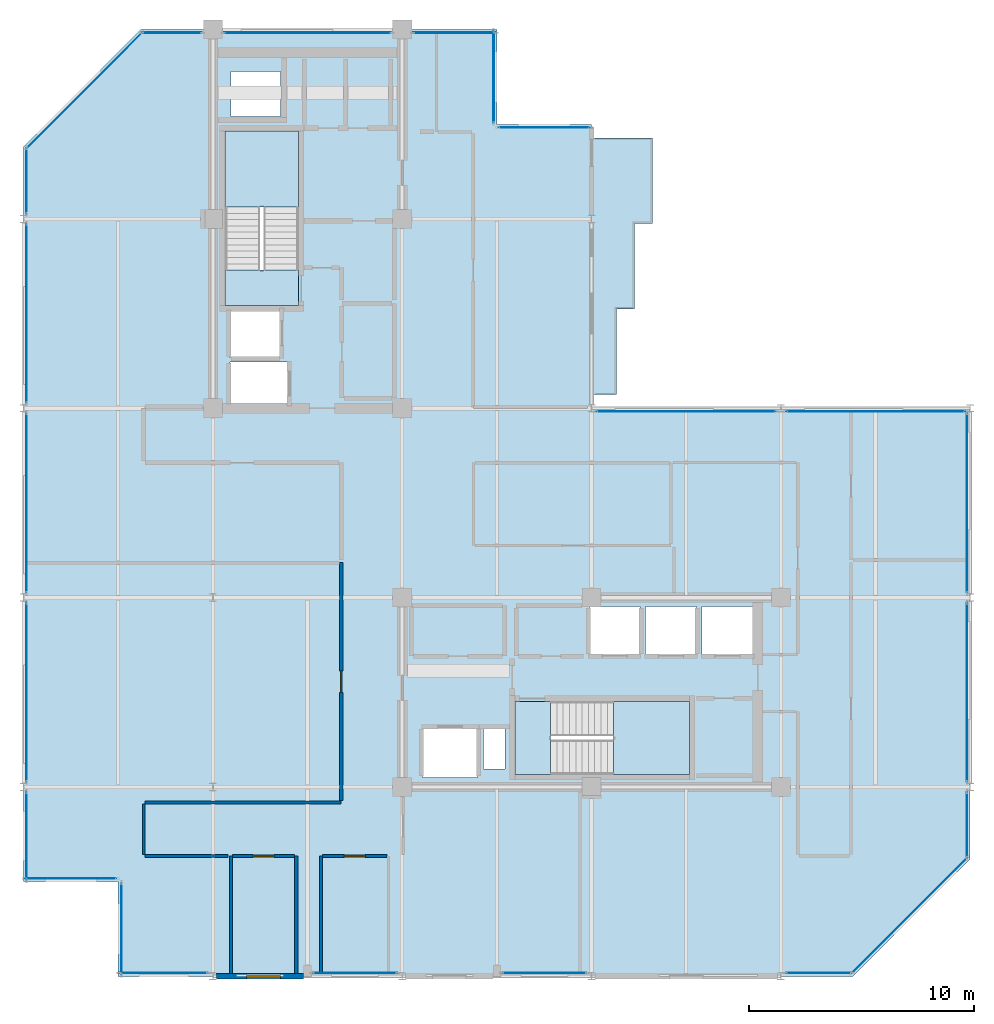
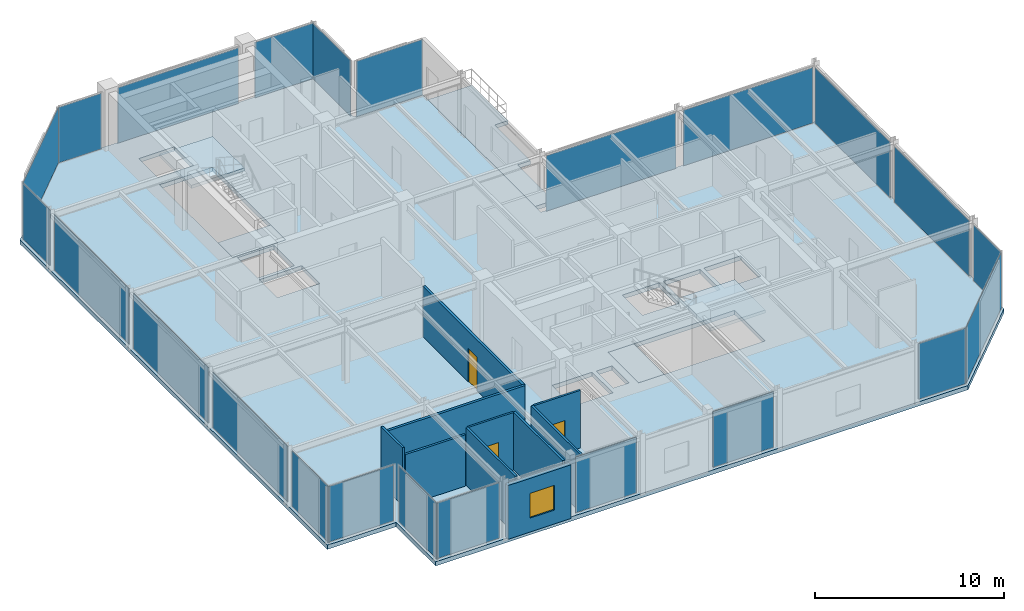
# One storey, part 20 of 26: 23 plates, 10 walls, 6 slabs, 3 doors, 1 window, 4 openings, 25 elements without a shape of their own.
"""IFC4 building model written with IfcOpenShell, lengths in metres."""

from ifc_helpers import new_model, si_unit, direction, frame, frame_2d, origin, origin_2d, place, context, subcontext, project, spatial, polyline, rectangle, outline, extrude, material, layer, layer_set, type_object, element, fill, aggregate, save


model = new_model("IFC4")

# Units and contexts
model_context = context("Model", 3, precision=1e-05, world=origin(), true_north=direction((0.0, 1.0)))
body_context = subcontext(model_context, "Body", "Model", "MODEL_VIEW")
ifc_project = project(units=[si_unit("LENGTHUNIT", "METRE"), si_unit("AREAUNIT", "SQUARE_METRE"), si_unit("VOLUMEUNIT", "CUBIC_METRE"), si_unit("PLANEANGLEUNIT", "RADIAN"), si_unit("MASSUNIT", "GRAM", prefix="KILO")], contexts=[model_context])

# Site, building, storey
site_placement = place(None, origin())
site = spatial("IfcSite", under=ifc_project, at=site_placement, CompositionType="ELEMENT")
building_placement = place(site_placement, origin())
building = spatial("IfcBuilding", under=site, at=building_placement, Name="Nerrivon Quay Data Exchange", CompositionType="ELEMENT")
storey_placement = place(building_placement, frame((0.0, 0.0, 258.199951171875)))
storey = spatial("IfcBuildingStorey", under=building, at=storey_placement, Name="L61", CompositionType="ELEMENT", Elevation=258.199951171875)

# Curtain wall, plate
ifc_material_1 = material(Name="Anodised aluminium 6063-T6", Category="aluminium")
ifc_layer_1 = layer(ifc_material_1, 0.195068359375)
ifc_layer_set_1 = layer_set([ifc_layer_1], Name="Anodised aluminium 6063-T6")
curtain_wall_type = type_object("IfcCurtainWallType", Name="CW-SYS-06", PredefinedType="NOTDEFINED", material=ifc_layer_set_1)
curtain_wall_1_placement = place(storey_placement, origin())
curtain_wall_1 = element("IfcCurtainWall", 1, at=curtain_wall_1_placement, inside=storey, type_object=curtain_wall_type, Name="L61 Unitised Curtain Wall 1", PredefinedType="NOTDEFINED")
ifc_material_2 = material(Name="Double-glazed low-E solar control glass", Category="glass")
ifc_layer_2 = layer(ifc_material_2, 0.028076171875)
ifc_layer_set_2 = layer_set([ifc_layer_2], Name="Double-glazed low-E solar control glass")
plate_type = type_object("IfcPlateType", Name="CWP-GLZ-28", PredefinedType="CURTAIN_PANEL", material=ifc_layer_set_2)
plate_1_placement = place(storey_placement, frame((39.301025390625, 2.698974609375, 0.06494140625), z_axis=(0.0, 0.0, 1.0), x_axis=(-0.707106781187, -0.707106781187, 0.0)))
plate_1 = element("IfcPlate", 2, at=plate_1_placement, type_object=plate_type, Name="CW06 panel 1.1", PredefinedType="CURTAIN_PANEL", context=body_context, shape_type="SweptSolid", body=[
    extrude(rectangle(XDim=7.203857421875, YDim=0.028076171875, at=origin_2d()), origin(), (0.0, 0.0, 1.0), 3.594970703125),
])
aggregate(curtain_wall_1, [plate_1])

curtain_wall_2_placement = place(storey_placement, origin())
curtain_wall_2 = element("IfcCurtainWall", 3, at=curtain_wall_2_placement, inside=storey, type_object=curtain_wall_type, Name="L61 Unitised Curtain Wall 2", PredefinedType="NOTDEFINED")
plate_2_placement = place(storey_placement, frame((35.27783203125, 0.139892578125, 0.06494140625), z_axis=(0.0, 0.0, 1.0), x_axis=(-1.0, 0.0, 0.0)))
plate_2 = element("IfcPlate", 4, at=plate_2_placement, type_object=plate_type, Name="CW06 panel 1.1", PredefinedType="CURTAIN_PANEL", context=body_context, shape_type="SweptSolid", body=[
    extrude(rectangle(XDim=2.89453125, YDim=0.028076171875, at=origin_2d()), origin(), (0.0, 0.0, 1.0), 3.594970703125),
])
aggregate(curtain_wall_2, [plate_2])

curtain_wall_3_placement = place(storey_placement, origin())
curtain_wall_3 = element("IfcCurtainWall", 5, at=curtain_wall_3_placement, inside=storey, type_object=curtain_wall_type, Name="L61 Unitised Curtain Wall 4", PredefinedType="NOTDEFINED")
plate_3_placement = place(storey_placement, frame((23.10986328125, 0.139892578125, 0.06494140625), z_axis=(0.0, 0.0, 1.0), x_axis=(-1.0, 0.0, 0.0)))
plate_3 = element("IfcPlate", 6, at=plate_3_placement, type_object=plate_type, Name="CW06 panel 1.1", PredefinedType="CURTAIN_PANEL", context=body_context, shape_type="SweptSolid", body=[
    extrude(rectangle(XDim=3.719482421875, YDim=0.028076171875, at=origin_2d()), origin(), (0.0, 0.0, 1.0), 3.594970703125),
])
aggregate(curtain_wall_3, [plate_3])

curtain_wall_4_placement = place(storey_placement, origin())
curtain_wall_4 = element("IfcCurtainWall", 7, at=curtain_wall_4_placement, inside=storey, type_object=curtain_wall_type, Name="L61 Unitised Curtain Wall 6", PredefinedType="NOTDEFINED")
plate_4_placement = place(storey_placement, frame((14.709716796875, 0.139892578125, 0.06494140625), z_axis=(0.0, 0.0, 1.0), x_axis=(-1.0, 0.0, 0.0)))
plate_4 = element("IfcPlate", 8, at=plate_4_placement, type_object=plate_type, Name="CW06 panel 1.1", PredefinedType="CURTAIN_PANEL", context=body_context, shape_type="SweptSolid", body=[
    extrude(rectangle(XDim=3.719482421875, YDim=0.028076171875, at=origin_2d()), origin(), (0.0, 0.0, 1.0), 3.594970703125),
])
aggregate(curtain_wall_4, [plate_4])

curtain_wall_5_placement = place(storey_placement, origin())
curtain_wall_5 = element("IfcCurtainWall", 9, at=curtain_wall_5_placement, inside=storey, type_object=curtain_wall_type, Name="L61 Unitised Curtain Wall 8", PredefinedType="NOTDEFINED")
plate_5_placement = place(storey_placement, frame((6.22216796875, 0.139892578125, 0.06494140625), z_axis=(0.0, 0.0, 1.0), x_axis=(-1.0, 0.0, 0.0)))
plate_5 = element("IfcPlate", 10, at=plate_5_placement, type_object=plate_type, Name="CW06 panel 1.1", PredefinedType="CURTAIN_PANEL", context=body_context, shape_type="SweptSolid", body=[
    extrude(rectangle(XDim=3.89453125, YDim=0.028076171875, at=origin_2d()), origin(), (0.0, 0.0, 1.0), 3.594970703125),
])
aggregate(curtain_wall_5, [plate_5])

curtain_wall_6_placement = place(storey_placement, origin())
curtain_wall_6 = element("IfcCurtainWall", 11, at=curtain_wall_6_placement, inside=storey, type_object=curtain_wall_type, Name="L61 Unitised Curtain Wall 9", PredefinedType="NOTDEFINED")
plate_6_placement = place(storey_placement, frame((4.340087890625, 2.10009765625, 0.06494140625), z_axis=(0.0, 0.0, 1.0), x_axis=(0.0, 1.0, 0.0)))
plate_6 = element("IfcPlate", 12, at=plate_6_placement, type_object=plate_type, Name="CW06 panel 1.1", PredefinedType="CURTAIN_PANEL", context=body_context, shape_type="SweptSolid", body=[
    extrude(rectangle(XDim=4.050048828125, YDim=0.028076171875, at=origin_2d()), origin(), (0.0, 0.0, 1.0), 3.594970703125),
])
aggregate(curtain_wall_6, [plate_6])

curtain_wall_7_placement = place(storey_placement, origin())
curtain_wall_7 = element("IfcCurtainWall", 13, at=curtain_wall_7_placement, inside=storey, type_object=curtain_wall_type, Name="L61 Unitised Curtain Wall 10", PredefinedType="NOTDEFINED")
plate_7_placement = place(storey_placement, frame((2.10009765625, 4.340087890625, 0.06494140625), z_axis=(0.0, 0.0, 1.0), x_axis=(-1.0, 0.0, 0.0)))
plate_7 = element("IfcPlate", 14, at=plate_7_placement, type_object=plate_type, Name="CW06 panel 1.1", PredefinedType="CURTAIN_PANEL", context=body_context, shape_type="SweptSolid", body=[
    extrude(rectangle(XDim=4.050048828125, YDim=0.028076171875, at=origin_2d()), origin(), (0.0, 0.0, 1.0), 3.594970703125),
])
aggregate(curtain_wall_7, [plate_7])

curtain_wall_8_placement = place(storey_placement, origin())
curtain_wall_8 = element("IfcCurtainWall", 15, at=curtain_wall_8_placement, inside=storey, type_object=curtain_wall_type, Name="L61 Unitised Curtain Wall 11", PredefinedType="NOTDEFINED")
plate_8_placement = place(storey_placement, frame((0.139892578125, 6.21826171875, 0.06494140625), z_axis=(0.0, 0.0, 1.0), x_axis=(0.0, 1.0, 0.0)))
plate_8 = element("IfcPlate", 16, at=plate_8_placement, type_object=plate_type, Name="CW06 panel 1.1", PredefinedType="CURTAIN_PANEL", context=body_context, shape_type="SweptSolid", body=[
    extrude(rectangle(XDim=3.886474609375, YDim=0.028076171875, at=origin_2d()), origin(), (0.0, 0.0, 1.0), 3.594970703125),
])
aggregate(curtain_wall_8, [plate_8])

curtain_wall_9_placement = place(storey_placement, origin())
curtain_wall_9 = element("IfcCurtainWall", 17, at=curtain_wall_9_placement, inside=storey, type_object=curtain_wall_type, Name="L61 Unitised Curtain Wall 12", PredefinedType="NOTDEFINED")
plate_9_placement = place(storey_placement, frame((0.139892578125, 12.60009765625, 0.06494140625), z_axis=(0.0, 0.0, 1.0), x_axis=(0.0, 1.0, 0.0)))
plate_9 = element("IfcPlate", 18, at=plate_9_placement, type_object=plate_type, Name="CW06 panel 1.1", PredefinedType="CURTAIN_PANEL", context=body_context, shape_type="SweptSolid", body=[
    extrude(rectangle(XDim=7.923095703125, YDim=0.028076171875, at=origin_2d()), origin(), (0.0, 0.0, 1.0), 3.594970703125),
])
aggregate(curtain_wall_9, [plate_9])

curtain_wall_10_placement = place(storey_placement, origin())
curtain_wall_10 = element("IfcCurtainWall", 19, at=curtain_wall_10_placement, inside=storey, type_object=curtain_wall_type, Name="L61 Unitised Curtain Wall 13", PredefinedType="NOTDEFINED")
plate_10_placement = place(storey_placement, frame((0.139892578125, 21.0, 0.06494140625), z_axis=(0.0, 0.0, 1.0), x_axis=(0.0, 1.0, 0.0)))
plate_10 = element("IfcPlate", 20, at=plate_10_placement, type_object=plate_type, Name="CW06 panel 1.1", PredefinedType="CURTAIN_PANEL", context=body_context, shape_type="SweptSolid", body=[
    extrude(rectangle(XDim=7.923095703125, YDim=0.028076171875, at=origin_2d()), origin(), (0.0, 0.0, 1.0), 3.594970703125),
])
aggregate(curtain_wall_10, [plate_10])

curtain_wall_11_placement = place(storey_placement, origin())
curtain_wall_11 = element("IfcCurtainWall", 21, at=curtain_wall_11_placement, inside=storey, type_object=curtain_wall_type, Name="L61 Unitised Curtain Wall 14", PredefinedType="NOTDEFINED")
plate_11_placement = place(storey_placement, frame((0.139892578125, 29.39990234375, 0.06494140625), z_axis=(0.0, 0.0, 1.0), x_axis=(0.0, 1.0, 0.0)))
plate_11 = element("IfcPlate", 22, at=plate_11_placement, type_object=plate_type, Name="CW06 panel 1.1", PredefinedType="CURTAIN_PANEL", context=body_context, shape_type="SweptSolid", body=[
    extrude(rectangle(XDim=7.923095703125, YDim=0.028076171875, at=origin_2d()), origin(), (0.0, 0.0, 1.0), 3.594970703125),
])
aggregate(curtain_wall_11, [plate_11])

curtain_wall_12_placement = place(storey_placement, origin())
curtain_wall_12 = element("IfcCurtainWall", 23, at=curtain_wall_12_placement, inside=storey, type_object=curtain_wall_type, Name="L61 Unitised Curtain Wall 15", PredefinedType="NOTDEFINED")
plate_12_placement = place(storey_placement, frame((0.139892578125, 35.28173828125, 0.06494140625), z_axis=(0.0, 0.0, 1.0), x_axis=(0.0, 1.0, 0.0)))
plate_12 = element("IfcPlate", 24, at=plate_12_placement, type_object=plate_type, Name="CW06 panel 1.1", PredefinedType="CURTAIN_PANEL", context=body_context, shape_type="SweptSolid", body=[
    extrude(rectangle(XDim=2.886474609375, YDim=0.028076171875, at=origin_2d()), origin(), (0.0, 0.0, 1.0), 3.594970703125),
])
aggregate(curtain_wall_12, [plate_12])

curtain_wall_13_placement = place(storey_placement, origin())
curtain_wall_13 = element("IfcCurtainWall", 25, at=curtain_wall_13_placement, inside=storey, type_object=curtain_wall_type, Name="L61 Unitised Curtain Wall 16", PredefinedType="NOTDEFINED")
plate_13_placement = place(storey_placement, frame((2.698974609375, 39.301025390625, 0.06494140625), z_axis=(0.0, 0.0, 1.0), x_axis=(0.707106781187, 0.707106781187, 0.0)))
plate_13 = element("IfcPlate", 26, at=plate_13_placement, type_object=plate_type, Name="CW06 panel 1.1", PredefinedType="CURTAIN_PANEL", context=body_context, shape_type="SweptSolid", body=[
    extrude(rectangle(XDim=7.203857421875, YDim=0.028076171875, at=origin_2d()), origin(), (0.0, 0.0, 1.0), 3.594970703125),
])
aggregate(curtain_wall_13, [plate_13])

curtain_wall_14_placement = place(storey_placement, origin())
curtain_wall_14 = element("IfcCurtainWall", 27, at=curtain_wall_14_placement, inside=storey, type_object=curtain_wall_type, Name="L61 Unitised Curtain Wall 17", PredefinedType="NOTDEFINED")
plate_14_placement = place(storey_placement, frame((6.58740234375, 41.860107421875, 0.06494140625), z_axis=(0.0, 0.0, 1.0), x_axis=(1.0, 0.0, 0.0)))
plate_14 = element("IfcPlate", 28, at=plate_14_placement, type_object=plate_type, Name="CW06 panel 1.1", PredefinedType="CURTAIN_PANEL", context=body_context, shape_type="SweptSolid", body=[
    extrude(rectangle(XDim=2.625, YDim=0.028076171875, at=origin_2d()), origin(), (0.0, 0.0, 1.0), 3.594970703125),
])
aggregate(curtain_wall_14, [plate_14])

curtain_wall_15_placement = place(storey_placement, origin())
curtain_wall_15 = element("IfcCurtainWall", 29, at=curtain_wall_15_placement, inside=storey, type_object=curtain_wall_type, Name="L61 Unitised Curtain Wall 18", PredefinedType="NOTDEFINED")
plate_15_placement = place(storey_placement, frame((12.60009765625, 41.860107421875, 0.06494140625), z_axis=(0.0, 0.0, 1.0), x_axis=(1.0, 0.0, 0.0)))
plate_15 = element("IfcPlate", 30, at=plate_15_placement, type_object=plate_type, Name="CW06 panel 1.1", PredefinedType="CURTAIN_PANEL", context=body_context, shape_type="SweptSolid", body=[
    extrude(rectangle(XDim=7.39990234375, YDim=0.028076171875, at=origin_2d()), origin(), (0.0, 0.0, 1.0), 3.594970703125),
])
aggregate(curtain_wall_15, [plate_15])

curtain_wall_16_placement = place(storey_placement, origin())
curtain_wall_16 = element("IfcCurtainWall", 31, at=curtain_wall_16_placement, inside=storey, type_object=curtain_wall_type, Name="L61 Unitised Curtain Wall 19", PredefinedType="NOTDEFINED")
plate_16_placement = place(storey_placement, frame((19.112548828125, 41.860107421875, 0.06494140625), z_axis=(0.0, 0.0, 1.0), x_axis=(1.0, 0.0, 0.0)))
plate_16 = element("IfcPlate", 32, at=plate_16_placement, type_object=plate_type, Name="CW06 panel 1.1", PredefinedType="CURTAIN_PANEL", context=body_context, shape_type="SweptSolid", body=[
    extrude(rectangle(XDim=3.625, YDim=0.028076171875, at=origin_2d()), origin(), (0.0, 0.0, 1.0), 3.594970703125),
])
aggregate(curtain_wall_16, [plate_16])

curtain_wall_17_placement = place(storey_placement, origin())
curtain_wall_17 = element("IfcCurtainWall", 33, at=curtain_wall_17_placement, inside=storey, type_object=curtain_wall_type, Name="L61 Unitised Curtain Wall 20", PredefinedType="NOTDEFINED")
plate_17_placement = place(storey_placement, frame((20.860107421875, 39.89990234375, 0.06494140625), z_axis=(0.0, 0.0, 1.0), x_axis=(0.0, -1.0, 0.0)))
plate_17 = element("IfcPlate", 34, at=plate_17_placement, type_object=plate_type, Name="CW06 panel 1.1", PredefinedType="CURTAIN_PANEL", context=body_context, shape_type="SweptSolid", body=[
    extrude(rectangle(XDim=4.050048828125, YDim=0.028076171875, at=origin_2d()), origin(), (0.0, 0.0, 1.0), 3.594970703125),
])
aggregate(curtain_wall_17, [plate_17])

curtain_wall_18_placement = place(storey_placement, origin())
curtain_wall_18 = element("IfcCurtainWall", 35, at=curtain_wall_18_placement, inside=storey, type_object=curtain_wall_type, Name="L61 Unitised Curtain Wall 21", PredefinedType="NOTDEFINED")
plate_18_placement = place(storey_placement, frame((23.10009765625, 37.659912109375, 0.06494140625), z_axis=(0.0, 0.0, 1.0), x_axis=(1.0, 0.0, 0.0)))
plate_18 = element("IfcPlate", 36, at=plate_18_placement, type_object=plate_type, Name="CW06 panel 1.1", PredefinedType="CURTAIN_PANEL", context=body_context, shape_type="SweptSolid", body=[
    extrude(rectangle(XDim=4.050048828125, YDim=0.028076171875, at=origin_2d()), origin(), (0.0, 0.0, 1.0), 3.594970703125),
])
aggregate(curtain_wall_18, [plate_18])

curtain_wall_19_placement = place(storey_placement, origin())
curtain_wall_19 = element("IfcCurtainWall", 37, at=curtain_wall_19_placement, inside=storey, type_object=curtain_wall_type, Name="L61 Unitised Curtain Wall 24", PredefinedType="NOTDEFINED")
plate_19_placement = place(storey_placement, frame((29.39990234375, 25.06005859375, 0.06494140625), z_axis=(0.0, 0.0, 1.0), x_axis=(1.0, 0.0, 0.0)))
plate_19 = element("IfcPlate", 38, at=plate_19_placement, type_object=plate_type, Name="CW06 panel 1.1", PredefinedType="CURTAIN_PANEL", context=body_context, shape_type="SweptSolid", body=[
    extrude(rectangle(XDim=7.93896484375, YDim=0.028076171875, at=origin_2d()), origin(), (0.0, 0.0, 1.0), 3.594970703125),
])
aggregate(curtain_wall_19, [plate_19])

curtain_wall_20_placement = place(storey_placement, origin())
curtain_wall_20 = element("IfcCurtainWall", 39, at=curtain_wall_20_placement, inside=storey, type_object=curtain_wall_type, Name="L61 Unitised Curtain Wall 25", PredefinedType="NOTDEFINED")
plate_20_placement = place(storey_placement, frame((37.800048828125, 25.06005859375, 0.06494140625), z_axis=(0.0, 0.0, 1.0), x_axis=(1.0, 0.0, 0.0)))
plate_20 = element("IfcPlate", 40, at=plate_20_placement, type_object=plate_type, Name="CW06 panel 1.1", PredefinedType="CURTAIN_PANEL", context=body_context, shape_type="SweptSolid", body=[
    extrude(rectangle(XDim=7.93896484375, YDim=0.028076171875, at=origin_2d()), origin(), (0.0, 0.0, 1.0), 3.594970703125),
])
aggregate(curtain_wall_20, [plate_20])

curtain_wall_21_placement = place(storey_placement, origin())
curtain_wall_21 = element("IfcCurtainWall", 41, at=curtain_wall_21_placement, inside=storey, type_object=curtain_wall_type, Name="L61 Unitised Curtain Wall 26", PredefinedType="NOTDEFINED")
plate_21_placement = place(storey_placement, frame((41.860107421875, 21.0, 0.06494140625), z_axis=(0.0, 0.0, 1.0), x_axis=(0.0, -1.0, 0.0)))
plate_21 = element("IfcPlate", 42, at=plate_21_placement, type_object=plate_type, Name="CW06 panel 1.1", PredefinedType="CURTAIN_PANEL", context=body_context, shape_type="SweptSolid", body=[
    extrude(rectangle(XDim=7.923095703125, YDim=0.028076171875, at=origin_2d()), origin(), (0.0, 0.0, 1.0), 3.594970703125),
])
aggregate(curtain_wall_21, [plate_21])

curtain_wall_22_placement = place(storey_placement, origin())
curtain_wall_22 = element("IfcCurtainWall", 43, at=curtain_wall_22_placement, inside=storey, type_object=curtain_wall_type, Name="L61 Unitised Curtain Wall 27", PredefinedType="NOTDEFINED")
plate_22_placement = place(storey_placement, frame((41.860107421875, 12.60009765625, 0.06494140625), z_axis=(0.0, 0.0, 1.0), x_axis=(0.0, -1.0, 0.0)))
plate_22 = element("IfcPlate", 44, at=plate_22_placement, type_object=plate_type, Name="CW06 panel 1.1", PredefinedType="CURTAIN_PANEL", context=body_context, shape_type="SweptSolid", body=[
    extrude(rectangle(XDim=7.923095703125, YDim=0.028076171875, at=origin_2d()), origin(), (0.0, 0.0, 1.0), 3.594970703125),
])
aggregate(curtain_wall_22, [plate_22])

curtain_wall_23_placement = place(storey_placement, origin())
curtain_wall_23 = element("IfcCurtainWall", 45, at=curtain_wall_23_placement, inside=storey, type_object=curtain_wall_type, Name="L61 Unitised Curtain Wall 28", PredefinedType="NOTDEFINED")
plate_23_placement = place(storey_placement, frame((41.860107421875, 6.71826171875, 0.06494140625), z_axis=(0.0, 0.0, 1.0), x_axis=(0.0, -1.0, 0.0)))
plate_23 = element("IfcPlate", 46, at=plate_23_placement, type_object=plate_type, Name="CW06 panel 1.1", PredefinedType="CURTAIN_PANEL", context=body_context, shape_type="SweptSolid", body=[
    extrude(rectangle(XDim=2.886474609375, YDim=0.028076171875, at=origin_2d()), origin(), (0.0, 0.0, 1.0), 3.594970703125),
])
aggregate(curtain_wall_23, [plate_23])

# Slab
ifc_material_3 = material(Name="Precast white architectural concrete N50 (50 MPa)", Category="concrete")
ifc_layer_3 = layer(ifc_material_3, 0.25)
ifc_layer_set_3 = layer_set([ifc_layer_3], Name="Precast white architectural concrete N50 (50 MPa)")
slab_type_1 = type_object("IfcSlabType", Name="SLB-BAL-250", PredefinedType="FLOOR", material=ifc_layer_set_3)
slab_1_placement = place(storey_placement, frame((0.0, 0.0, -0.25)))
element("IfcSlab", 47, at=slab_1_placement, inside=storey, type_object=slab_type_1, Name="L61 Waterfront Subtropical Verandah", PredefinedType="FLOOR", context=body_context, shape_type="SweptSolid", body=[
    extrude(outline(polyline([(26.300048828125, 29.60009765625), (27.10009765625, 29.60009765625), (27.10009765625, 33.39990234375), (27.89990234375, 33.39990234375), (27.89990234375, 37.199951171875), (25.199951171875, 37.199951171875), (25.199951171875, 33.39990234375), (25.199951171875, 29.60009765625), (25.199951171875, 25.800048828125), (26.300048828125, 25.800048828125), (26.300048828125, 29.60009765625)])), origin(), (0.0, 0.0, 1.0), 0.25),
])

# Stair, slab
ifc_material_4 = material(Name="Concrete N50 (50 MPa)", Category="concrete")
stair_type = type_object("IfcStairType", Name="STAIR-DOG-40", PredefinedType="HALF_TURN_STAIR", material=ifc_material_4)
stair_1_placement = place(storey_placement, origin())
stair_1 = element("IfcStair", 48, at=stair_1_placement, inside=storey, type_object=stair_type, Name="L61 West Core Fire Stair ST01", PredefinedType="HALF_TURN_STAIR")
ifc_layer_4 = layer(ifc_material_4, 0.199951171875)
ifc_layer_set_4 = layer_set([ifc_layer_4], Name="Concrete N50 (50 MPa)")
slab_type_2 = type_object("IfcSlabType", Name="SLB-LAND-200", PredefinedType="LANDING", material=ifc_layer_set_4)
slab_2_placement = place(storey_placement, frame((0.0, 0.0, 1.800048828125)))
slab_2 = element("IfcSlab", 49, at=slab_2_placement, type_object=slab_type_2, Name="ST01 landing 1", PredefinedType="LANDING", context=body_context, shape_type="SweptSolid", body=[
    extrude(outline(polyline([(12.199951171875, 34.1298828125), (12.199951171875, 37.5), (8.949951171875, 37.5), (8.949951171875, 34.1298828125), (12.199951171875, 34.1298828125)])), origin(), (0.0, 0.0, 1.0), 0.199951171875),
])
aggregate(stair_1, [slab_2])

# Slab
slab_3_placement = place(storey_placement, frame((0.0, 0.0, -0.199951171875)))
element("IfcSlab", 50, at=slab_3_placement, inside=storey, type_object=slab_type_2, Name="L61 ST01 floor landing", PredefinedType="LANDING", context=body_context, shape_type="SweptSolid", body=[
    extrude(outline(polyline([(12.199951171875, 29.75), (12.199951171875, 31.330078125), (8.949951171875, 31.330078125), (8.949951171875, 29.75), (12.199951171875, 29.75)])), origin(), (0.0, 0.0, 1.0), 0.199951171875),
])

# Stair, slab
stair_2_placement = place(storey_placement, origin())
stair_2 = element("IfcStair", 51, at=stair_2_placement, inside=storey, type_object=stair_type, Name="L61 East Core Fire Stair ST02", PredefinedType="HALF_TURN_STAIR")
slab_4_placement = place(storey_placement, frame((0.0, 0.0, 1.800048828125)))
slab_4 = element("IfcSlab", 52, at=slab_4_placement, type_object=slab_type_2, Name="ST02 landing 1", PredefinedType="LANDING", context=body_context, shape_type="SweptSolid", body=[
    extrude(outline(polyline([(26.179931640625, 8.949951171875), (29.550048828125, 8.949951171875), (29.550048828125, 12.199951171875), (26.179931640625, 12.199951171875), (26.179931640625, 8.949951171875)])), origin(), (0.0, 0.0, 1.0), 0.199951171875),
])
aggregate(stair_2, [slab_4])

# Slabs
slab_5_placement = place(storey_placement, frame((0.0, 0.0, -0.199951171875)))
element("IfcSlab", 53, at=slab_5_placement, inside=storey, type_object=slab_type_2, Name="L61 ST02 floor landing", PredefinedType="LANDING", context=body_context, shape_type="SweptSolid", body=[
    extrude(outline(polyline([(21.800048828125, 8.949951171875), (23.3798828125, 8.949951171875), (23.3798828125, 12.199951171875), (21.800048828125, 12.199951171875), (21.800048828125, 8.949951171875)])), origin(), (0.0, 0.0, 1.0), 0.199951171875),
])
ifc_layer_5 = layer(ifc_material_4, 0.27490234375)
ifc_layer_set_5 = layer_set([ifc_layer_5], Name="Concrete N50 (50 MPa)")
slab_type_3 = type_object("IfcSlabType", Name="SLB-TOW-275", PredefinedType="FLOOR", material=ifc_layer_set_5)
slab_6_placement = place(storey_placement, frame((0.0, 0.0, -0.27490234375)))
element("IfcSlab", 54, at=slab_6_placement, inside=storey, type_object=slab_type_3, Name="L61 Primary Structural Slab", PredefinedType="FLOOR", context=body_context, shape_type="SweptSolid", body=[
    extrude(outline(polyline([(42.0, 25.199951171875), (25.199951171875, 25.199951171875), (25.199951171875, 37.800048828125), (21.0, 37.800048828125), (21.0, 42.0), (5.199951171875, 42.0), (0.0, 36.800048828125), (0.0, 4.199951171875), (4.199951171875, 4.199951171875), (4.199951171875, 0.0), (36.800048828125, 0.0), (42.0, 5.199951171875), (42.0, 25.199951171875)]), holes=[polyline([(8.949951171875, 29.75), (8.949951171875, 37.5), (12.199951171875, 37.5), (12.199951171875, 29.75), (8.949951171875, 29.75)]), polyline([(21.800048828125, 12.199951171875), (29.550048828125, 12.199951171875), (29.550048828125, 8.949951171875), (21.800048828125, 8.949951171875), (21.800048828125, 12.199951171875)]), polyline([(30.10009765625, 14.25), (30.10009765625, 16.39990234375), (32.35009765625, 16.39990234375), (32.35009765625, 14.25), (30.10009765625, 14.25)]), polyline([(27.60009765625, 14.25), (27.60009765625, 16.39990234375), (29.85009765625, 16.39990234375), (29.85009765625, 14.25), (27.60009765625, 14.25)]), polyline([(25.10009765625, 14.25), (25.10009765625, 16.39990234375), (27.35009765625, 16.39990234375), (27.35009765625, 14.25), (25.10009765625, 14.25)]), polyline([(20.39990234375, 9.199951171875), (20.39990234375, 11.0), (21.35009765625, 11.0), (21.35009765625, 9.199951171875), (20.39990234375, 9.199951171875)]), polyline([(17.699951171875, 8.830078125), (17.699951171875, 11.030029296875), (20.14990234375, 11.030029296875), (20.14990234375, 8.830078125), (17.699951171875, 8.830078125)]), polyline([(9.14990234375, 25.35009765625), (9.14990234375, 27.25), (11.75, 27.25), (11.75, 25.35009765625), (9.14990234375, 25.35009765625)]), polyline([(9.14990234375, 27.449951171875), (9.14990234375, 29.60009765625), (11.39990234375, 29.60009765625), (11.39990234375, 27.449951171875), (9.14990234375, 27.449951171875)]), polyline([(9.199951171875, 38.14990234375), (9.199951171875, 40.14990234375), (11.39990234375, 40.14990234375), (11.39990234375, 38.14990234375), (9.199951171875, 38.14990234375)])]), origin(), (0.0, 0.0, 1.0), 0.27490234375),
])

# Wall, opening, window
ifc_material_5 = material(Name="Architectural terracotta precast concrete N50 (50 MPa)", Category="masonry")
ifc_layer_6 = layer(ifc_material_5, 0.239990234375)
ifc_layer_set_6 = layer_set([ifc_layer_6], Name="Architectural terracotta precast concrete N50 (50 MPa)")
wall_type_1 = type_object("IfcWallType", Name="EW-PREC-240", PredefinedType="STANDARD", material=ifc_layer_set_6)
wall_1_placement = place(storey_placement, frame((12.425048828125, 0.0, 0.0), z_axis=(0.0, 0.0, 1.0), x_axis=(-1.0, 0.0, 0.0)))
wall_1 = element("IfcWall", 55, at=wall_1_placement, inside=storey, type_object=wall_type_1, Name="L61 Podium Precast Spandrel Wall 7", PredefinedType="STANDARD", context=body_context, shape_type="SweptSolid", body=[
    extrude(rectangle(XDim=3.86962890625, YDim=0.239990234375, at=frame_2d((1.934814453125, 0.0))), origin(), (0.0, 0.0, 1.0), 3.47509765625),
])
opening_1_placement = place(wall_1_placement, frame((1.02490234375, 0.0, 0.89990234375)))
opening_1 = element("IfcOpeningElement", 56, at=opening_1_placement, cuts=wall_1, Name="Opening WN4", PredefinedType="OPENING", context=body_context, shape_type="SweptSolid", body=[
    extrude(rectangle(XDim=1.5, YDim=1.60009765625, at=frame_2d((0.75, 0.800048828125))), frame((0.0, 0.1298828125, 0.0), z_axis=(0.0, -1.0, 0.0), x_axis=(1.0, 0.0, 0.0)), (0.0, 0.0, 1.0), 0.260009765625),
])
window_type = type_object("IfcWindowType", Name="WIN-W4-1500x1600", PartitioningType="SINGLE_PANEL", PredefinedType="WINDOW", material=ifc_material_2)
window_placement = place(opening_1_placement, origin())
window = element("IfcWindow", 57, at=window_placement, inside=storey, type_object=window_type, Name="L61 Solar Facade Window 7", OverallHeight=1.60009765625, OverallWidth=1.5, PartitioningType="SINGLE_PANEL", PredefinedType="WINDOW", context=body_context, shape_type="SweptSolid", body=[
    extrude(rectangle(XDim=1.5, YDim=1.60009765625, at=frame_2d((0.75, 0.800048828125))), frame((0.0, 0.030029296875, 0.0), z_axis=(0.0, -1.0, 0.0), x_axis=(1.0, 0.0, 0.0)), (0.0, 0.0, 1.0), 0.06005859375),
])
fill(opening_1, window)

# Wall, opening, door
ifc_material_6 = material(Name="Gypsum plasterboard on cold-formed framing", Category="gypsum")
ifc_layer_7 = layer(ifc_material_6, 0.1201171875)
ifc_layer_set_7 = layer_set([ifc_layer_7], Name="Gypsum plasterboard on cold-formed framing")
wall_type_2 = type_object("IfcWallType", Name="WALL-PT-120", PredefinedType="PARTITIONING", material=ifc_layer_set_7)
wall_2_placement = place(storey_placement, frame((16.12841796875, 5.340087890625, 0.0), z_axis=(0.0, 0.0, 1.0), x_axis=(-1.0, 0.0, 0.0)))
wall_2 = element("IfcWall", 58, at=wall_2_placement, inside=storey, type_object=wall_type_2, Name="L61 Partition Accessible Toilet", PredefinedType="PARTITIONING", context=body_context, shape_type="SweptSolid", body=[
    extrude(rectangle(XDim=2.85693359375, YDim=0.1201171875, at=frame_2d((1.428466796875, 0.0))), origin(), (0.0, 0.0, 1.0), 3.72509765625),
])
opening_2_placement = place(wall_2_placement, frame((0.968505859375, 0.0, 0.0)))
opening_2 = element("IfcOpeningElement", 59, at=opening_2_placement, cuts=wall_2, Name="Opening D-WC", PredefinedType="OPENING", context=body_context, shape_type="SweptSolid", body=[
    extrude(rectangle(XDim=0.919921875, YDim=2.10009765625, at=frame_2d((0.4599609375, 1.050048828125))), frame((0.0, 0.070068359375, 0.0), z_axis=(0.0, -1.0, 0.0), x_axis=(1.0, 0.0, 0.0)), (0.0, 0.0, 1.0), 0.14013671875),
])
ifc_material_7 = material(Name="Engineered hardwood timber", Category="wood")
door_type_1 = type_object("IfcDoorType", Name="DR-WC-920", OperationType="NOTDEFINED", PredefinedType="DOOR", material=ifc_material_7)
door_1_placement = place(opening_2_placement, origin())
door_1 = element("IfcDoor", 60, at=door_1_placement, inside=storey, type_object=door_type_1, Name="L61 Door Accessible Toilet", OperationType="SINGLE_SWING_LEFT", OverallHeight=2.10009765625, OverallWidth=0.919921875, PredefinedType="DOOR", context=body_context, shape_type="SweptSolid", body=[
    extrude(rectangle(XDim=0.919921875, YDim=2.10009765625, at=frame_2d((0.4599609375, 1.050048828125))), frame((0.0, 0.02490234375, 0.0), z_axis=(0.0, -1.0, 0.0), x_axis=(1.0, 0.0, 0.0)), (0.0, 0.0, 1.0), 0.050048828125),
])
fill(opening_2, door_1)

wall_3_placement = place(storey_placement, frame((12.028564453125, 5.340087890625, 0.0), z_axis=(0.0, 0.0, 1.0), x_axis=(-1.0, 0.0, 0.0)))
wall_3 = element("IfcWall", 61, at=wall_3_placement, inside=storey, type_object=wall_type_2, Name="L61 Partition Public Washrooms", PredefinedType="PARTITIONING", context=body_context, shape_type="SweptSolid", body=[
    extrude(rectangle(XDim=2.757080078125, YDim=0.1201171875, at=frame_2d((1.37841796875, 0.0))), origin(), (0.0, 0.0, 1.0), 3.72509765625),
])
opening_3_placement = place(wall_3_placement, frame((0.91845703125, 0.0, 0.0)))
opening_3 = element("IfcOpeningElement", 62, at=opening_3_placement, cuts=wall_3, Name="Opening D-WC", PredefinedType="OPENING", context=body_context, shape_type="SweptSolid", body=[
    extrude(rectangle(XDim=0.919921875, YDim=2.10009765625, at=frame_2d((0.4599609375, 1.050048828125))), frame((0.0, 0.070068359375, 0.0), z_axis=(0.0, -1.0, 0.0), x_axis=(1.0, 0.0, 0.0)), (0.0, 0.0, 1.0), 0.14013671875),
])
door_2_placement = place(opening_3_placement, origin())
door_2 = element("IfcDoor", 63, at=door_2_placement, inside=storey, type_object=door_type_1, Name="L61 Door Public Washrooms", OperationType="SINGLE_SWING_RIGHT", OverallHeight=2.10009765625, OverallWidth=0.919921875, PredefinedType="DOOR", context=body_context, shape_type="SweptSolid", body=[
    extrude(rectangle(XDim=0.919921875, YDim=2.10009765625, at=frame_2d((0.4599609375, 1.050048828125))), frame((0.0, 0.02490234375, 0.0), z_axis=(0.0, -1.0, 0.0), x_axis=(1.0, 0.0, 0.0)), (0.0, 0.0, 1.0), 0.050048828125),
])
fill(opening_3, door_2)

# Walls
wall_4_placement = place(storey_placement, frame((5.340087890625, 5.39990234375, 0.0), z_axis=(0.0, 0.0, 1.0), x_axis=(0.0, 1.0, 0.0)))
element("IfcWall", 64, at=wall_4_placement, inside=storey, type_object=wall_type_2, Name="L61 Partition Technical Library", PredefinedType="PARTITIONING", context=body_context, shape_type="SweptSolid", body=[
    extrude(rectangle(XDim=2.25, YDim=0.1201171875, at=frame_2d((1.125, 0.0))), origin(), (0.0, 0.0, 1.0), 3.72509765625),
])
ifc_layer_8 = layer(ifc_material_6, 0.135009765625)
ifc_layer_set_8 = layer_set([ifc_layer_8], Name="Gypsum plasterboard on cold-formed framing")
wall_type_3 = type_object("IfcWallType", Name="WALL-PT-135", PredefinedType="PARTITIONING", material=ifc_layer_set_8)
wall_5_placement = place(storey_placement, frame((13.199951171875, 5.340087890625, 0.0), z_axis=(0.0, 0.0, 1.0), x_axis=(0.0, -1.0, 0.0)))
element("IfcWall", 65, at=wall_5_placement, inside=storey, type_object=wall_type_3, Name="L61 Partition Accessible Toilet", PredefinedType="PARTITIONING", context=body_context, shape_type="SweptSolid", body=[
    extrude(rectangle(XDim=5.171142578125, YDim=0.135009765625, at=frame_2d((2.58544921875, 0.0))), origin(), (0.0, 0.0, 1.0), 3.72509765625),
])
for number, where, z_axis, x_axis, name in (
    (66, (9.199951171875, 5.340087890625, 0.0), (0.0, 0.0, 1.0), (0.0, -1.0, 0.0), "L61 Partition Public Washrooms"),
    (67, (12.10009765625, 0.1240234375, 0.0), (0.0, 0.0, 1.0), (0.0, 1.0, 0.0), "L61 Partition Public Washrooms"),
):
    element("IfcWall", number, at=place(storey_placement, frame(where, z_axis=z_axis, x_axis=x_axis)), inside=storey, type_object=wall_type_3, Name=name, PredefinedType="PARTITIONING", context=body_context, shape_type="SweptSolid", body=[
        extrude(rectangle(XDim=5.216064453125, YDim=0.135009765625, at=frame_2d((2.60791015625, 0.0))), origin(), (0.0, 0.0, 1.0), 3.72509765625),
    ])
wall_6_placement = place(storey_placement, frame((9.080078125, 5.340087890625, 0.0), z_axis=(0.0, 0.0, 1.0), x_axis=(-1.0, 0.0, 0.0)))
element("IfcWall", 68, at=wall_6_placement, inside=storey, type_object=wall_type_3, Name="L61 Partition Technical Library", PredefinedType="PARTITIONING", context=body_context, shape_type="SweptSolid", body=[
    extrude(rectangle(XDim=3.68017578125, YDim=0.135009765625, at=frame_2d((1.840087890625, 0.0))), origin(), (0.0, 0.0, 1.0), 3.319091796875),
])
ifc_layer_9 = layer(ifc_material_6, 0.14990234375)
ifc_layer_set_9 = layer_set([ifc_layer_9], Name="Gypsum plasterboard on cold-formed framing")
wall_type_4 = type_object("IfcWallType", Name="WALL-PT-150", PredefinedType="PARTITIONING", material=ifc_layer_set_9)
wall_7_placement = place(storey_placement, frame((5.39990234375, 7.7099609375, 0.0), z_axis=(0.0, 0.0, 1.0), x_axis=(1.0, 0.0, 0.0)))
element("IfcWall", 69, at=wall_7_placement, inside=storey, type_object=wall_type_4, Name="L61 Partition Technical Library", PredefinedType="PARTITIONING", context=body_context, shape_type="SweptSolid", body=[
    extrude(rectangle(XDim=8.690185546875, YDim=0.14990234375, at=frame_2d((4.34521484375, 0.0))), origin(), (0.0, 0.0, 1.0), 3.319091796875),
])

# Wall, opening, door
wall_8_placement = place(storey_placement, frame((14.090087890625, 7.7890625, 0.0), z_axis=(0.0, 0.0, 1.0), x_axis=(0.0, 1.0, 0.0)))
wall_8 = element("IfcWall", 70, at=wall_8_placement, inside=storey, type_object=wall_type_4, Name="L61 Partition Technical Library", PredefinedType="PARTITIONING", context=body_context, shape_type="SweptSolid", body=[
    extrude(rectangle(XDim=10.565673828125, YDim=0.14990234375, at=frame_2d((5.28271484375, 0.0))), origin(), (0.0, 0.0, 1.0), 3.27099609375),
])
opening_4_placement = place(wall_8_placement, frame((4.807861328125, 0.0, 0.0)))
opening_4 = element("IfcOpeningElement", 71, at=opening_4_placement, cuts=wall_8, Name="Opening D-01", PredefinedType="OPENING", context=body_context, shape_type="SweptSolid", body=[
    extrude(rectangle(XDim=0.949951171875, YDim=2.14990234375, at=frame_2d((0.47509765625, 1.074951171875))), frame((0.0, 0.0849609375, 0.0), z_axis=(0.0, -1.0, 0.0), x_axis=(1.0, 0.0, 0.0)), (0.0, 0.0, 1.0), 0.169921875),
])
door_type_2 = type_object("IfcDoorType", Name="DR-INT-950", OperationType="NOTDEFINED", PredefinedType="DOOR", material=ifc_material_7)
door_3_placement = place(opening_4_placement, origin())
door_3 = element("IfcDoor", 72, at=door_3_placement, inside=storey, type_object=door_type_2, Name="L61 Door Technical Library", OperationType="SINGLE_SWING_LEFT", OverallHeight=2.14990234375, OverallWidth=0.949951171875, PredefinedType="DOOR", context=body_context, shape_type="SweptSolid", body=[
    extrude(rectangle(XDim=0.949951171875, YDim=2.14990234375, at=frame_2d((0.47509765625, 1.074951171875))), frame((0.0, 0.02490234375, 0.0), z_axis=(0.0, -1.0, 0.0), x_axis=(1.0, 0.0, 0.0)), (0.0, 0.0, 1.0), 0.050048828125),
])
fill(opening_4, door_3)

save(model, "model.ifc")
